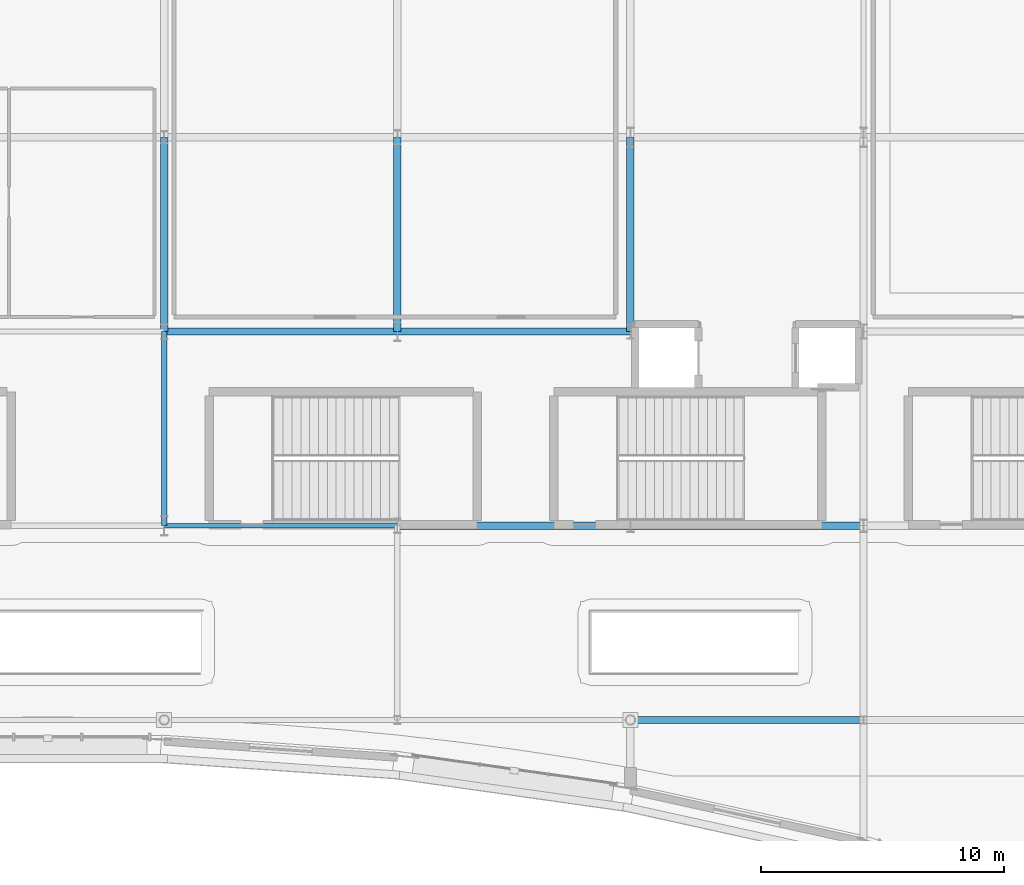
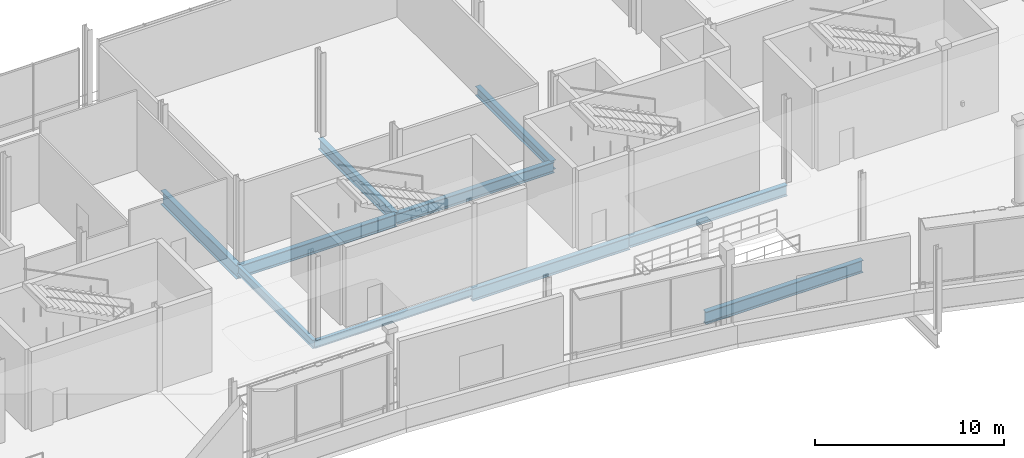
# One storey, part 38 of 129: 10 beams.
"""IFC4 building model written with IfcOpenShell, lengths in metres."""

from ifc_helpers import new_model, si_unit, direction, frame, origin, origin_2d, place, context, subcontext, project, spatial, i_section, extrude, material, material_profile, profile_set, type_object, element, save


model = new_model("IFC4")

# Units and contexts
model_context = context("Model", 3, precision=1e-05, world=origin(), true_north=direction((0.0, 1.0)))
body_context = subcontext(model_context, "Body", "Model", "MODEL_VIEW")
ifc_project = project(units=[si_unit("LENGTHUNIT", "METRE"), si_unit("AREAUNIT", "SQUARE_METRE"), si_unit("VOLUMEUNIT", "CUBIC_METRE"), si_unit("PLANEANGLEUNIT", "RADIAN"), si_unit("MASSUNIT", "GRAM", prefix="KILO")], contexts=[model_context])

# Site, building, storey
site_placement = place(None, origin())
site = spatial("IfcSite", under=ifc_project, at=site_placement, CompositionType="ELEMENT")
building_placement = place(site_placement, origin())
building = spatial("IfcBuilding", under=site, at=building_placement, Name="Danafjord Basin Convention Centre", CompositionType="ELEMENT")
storey_placement = place(building_placement, frame((0.0, 0.0, 6.0)))
storey = spatial("IfcBuildingStorey", under=building, at=storey_placement, Name="L01", CompositionType="ELEMENT", Elevation=6.0)

# Beams
ifc_material = material(Name="Steel S355", Category="steel")
ifc_material_profile_1 = material_profile(ifc_material, i_section(OverallWidth=0.300048828125, OverallDepth=0.60009765625, WebThickness=0.015380859375, FlangeThickness=0.030029296875, FilletRadius=0.027099609375, at=origin_2d()), Name="HEB 600")
ifc_profile_set_1 = profile_set([ifc_material_profile_1], Name="Steel S355")
beam_type_1 = type_object("IfcBeamType", Name="BEAM-BM-HEB600", PredefinedType="BEAM", material=ifc_profile_set_1)
beam_1_placement = place(storey_placement, frame((86.39990234375, 24.0, -0.530029296875), z_axis=(0.0, 1.0, 0.0), x_axis=(-1.0, 0.0, 0.0)))
element("IfcBeam", 1, at=beam_1_placement, inside=storey, type_object=beam_type_1, Name="L01 transverse girder BM-HEB600", PredefinedType="BEAM", context=body_context, shape_type="SweptSolid", body=[
    extrude(i_section(OverallWidth=0.300048828125, OverallDepth=0.60009765625, WebThickness=0.015380859375, FlangeThickness=0.030029296875, FilletRadius=0.027099609375, at=origin_2d()), origin(), (0.0, 0.0, 1.0), 8.0),
])
ifc_material_profile_2 = material_profile(ifc_material, i_section(OverallWidth=0.300048828125, OverallDepth=0.699951171875, WebThickness=0.01708984375, FlangeThickness=0.031982421875, FilletRadius=0.027099609375, at=origin_2d()), Name="HEB 700")
ifc_profile_set_2 = profile_set([ifc_material_profile_2], Name="Steel S355")
beam_type_2 = type_object("IfcBeamType", Name="BEAM-BM-HEB700", PredefinedType="BEAM", material=ifc_profile_set_2)
beam_2_placement = place(storey_placement, frame((76.800048828125, 24.0, -0.580078125), z_axis=(1.0, 0.0, 0.0), x_axis=(0.0, 1.0, 0.0)))
element("IfcBeam", 2, at=beam_2_placement, inside=storey, type_object=beam_type_2, Name="L01 girder BM-HEB700", PredefinedType="BEAM", context=body_context, shape_type="SweptSolid", body=[
    extrude(i_section(OverallWidth=0.300048828125, OverallDepth=0.699951171875, WebThickness=0.01708984375, FlangeThickness=0.031982421875, FilletRadius=0.027099609375, at=origin_2d()), origin(), (0.0, 0.0, 1.0), 9.599853515625),
])
beam_3_placement = place(storey_placement, frame((86.39990234375, 16.0, -0.580078125), z_axis=(1.0, 0.0, 0.0), x_axis=(0.0, 1.0, 0.0)))
element("IfcBeam", 3, at=beam_3_placement, inside=storey, type_object=beam_type_2, Name="L01 girder BM-HEB700", PredefinedType="BEAM", context=body_context, shape_type="SweptSolid", body=[
    extrude(i_section(OverallWidth=0.300048828125, OverallDepth=0.699951171875, WebThickness=0.01708984375, FlangeThickness=0.031982421875, FilletRadius=0.027099609375, at=origin_2d()), origin(), (0.0, 0.0, 1.0), 9.60009765625),
])
beam_4_placement = place(storey_placement, frame((76.800048828125, 24.0, -0.580078125), z_axis=(0.0, 1.0, 0.0), x_axis=(-1.0, 0.0, 0.0)))
element("IfcBeam", 4, at=beam_4_placement, inside=storey, type_object=beam_type_2, Name="L01 transverse girder BM-HEB700", PredefinedType="BEAM", context=body_context, shape_type="SweptSolid", body=[
    extrude(i_section(OverallWidth=0.300048828125, OverallDepth=0.699951171875, WebThickness=0.01708984375, FlangeThickness=0.031982421875, FilletRadius=0.027099609375, at=origin_2d()), origin(), (0.0, 0.0, 1.0), 8.0),
])
ifc_material_profile_3 = material_profile(ifc_material, i_section(OverallWidth=0.300048828125, OverallDepth=0.800048828125, WebThickness=0.017578125, FlangeThickness=0.032958984375, FilletRadius=0.030029296875, at=origin_2d()), Name="HEB 800")
ifc_profile_set_3 = profile_set([ifc_material_profile_3], Name="Steel S355")
beam_type_3 = type_object("IfcBeamType", Name="BEAM-BM-HEB800", PredefinedType="BEAM", material=ifc_profile_set_3)
beam_5_placement = place(storey_placement, frame((67.199951171875, 24.0, -0.6298828125), z_axis=(1.0, 0.0, 0.0), x_axis=(0.0, 1.0, 0.0)))
element("IfcBeam", 5, at=beam_5_placement, inside=storey, type_object=beam_type_3, Name="L01 girder BM-HEB800", PredefinedType="BEAM", context=body_context, shape_type="SweptSolid", body=[
    extrude(i_section(OverallWidth=0.300048828125, OverallDepth=0.800048828125, WebThickness=0.017578125, FlangeThickness=0.032958984375, FilletRadius=0.030029296875, at=origin_2d()), origin(), (0.0, 0.0, 1.0), 9.60009765625),
])
beam_6_placement = place(storey_placement, frame((76.800048828125, 16.0, -0.6298828125), z_axis=(1.0, 0.0, 0.0), x_axis=(0.0, 1.0, 0.0)))
element("IfcBeam", 6, at=beam_6_placement, inside=storey, type_object=beam_type_3, Name="L01 girder BM-HEB800", PredefinedType="BEAM", context=body_context, shape_type="SweptSolid", body=[
    extrude(i_section(OverallWidth=0.300048828125, OverallDepth=0.800048828125, WebThickness=0.017578125, FlangeThickness=0.032958984375, FilletRadius=0.030029296875, at=origin_2d()), origin(), (0.0, 0.0, 1.0), 9.599853515625),
])
beam_7_placement = place(storey_placement, frame((86.39990234375, 8.0, -0.6298828125), z_axis=(1.0, 0.0, 0.0), x_axis=(0.0, 1.0, 0.0)))
element("IfcBeam", 7, at=beam_7_placement, inside=storey, type_object=beam_type_3, Name="L01 girder BM-HEB800", PredefinedType="BEAM", context=body_context, shape_type="SweptSolid", body=[
    extrude(i_section(OverallWidth=0.300048828125, OverallDepth=0.800048828125, WebThickness=0.017578125, FlangeThickness=0.032958984375, FilletRadius=0.030029296875, at=origin_2d()), origin(), (0.0, 0.0, 1.0), 9.60009765625),
])
ifc_material_profile_4 = material_profile(ifc_material, i_section(OverallWidth=0.300048828125, OverallDepth=0.89990234375, WebThickness=0.0185546875, FlangeThickness=0.034912109375, FilletRadius=0.030029296875, at=origin_2d()), Name="HEB 900")
ifc_profile_set_4 = profile_set([ifc_material_profile_4], Name="Steel S355")
beam_type_4 = type_object("IfcBeamType", Name="BEAM-BM-HEB900", PredefinedType="BEAM", material=ifc_profile_set_4)
beam_8_placement = place(storey_placement, frame((67.199951171875, 24.0, -0.679931640625), z_axis=(0.0, 1.0, 0.0), x_axis=(-1.0, 0.0, 0.0)))
element("IfcBeam", 8, at=beam_8_placement, inside=storey, type_object=beam_type_4, Name="L01 transverse girder BM-HEB900", PredefinedType="BEAM", context=body_context, shape_type="SweptSolid", body=[
    extrude(i_section(OverallWidth=0.300048828125, OverallDepth=0.89990234375, WebThickness=0.0185546875, FlangeThickness=0.034912109375, FilletRadius=0.030029296875, at=origin_2d()), origin(), (0.0, 0.0, 1.0), 8.0),
])
ifc_material_profile_5 = material_profile(ifc_material, i_section(OverallWidth=0.199951171875, OverallDepth=0.5, WebThickness=0.01025390625, FlangeThickness=0.01611328125, FilletRadius=0.02099609375, at=origin_2d()), Name="IPE 500")
ifc_profile_set_5 = profile_set([ifc_material_profile_5], Name="Steel S355")
beam_type_5 = type_object("IfcBeamType", Name="BEAM-BM-IPE500", PredefinedType="BEAM", material=ifc_profile_set_5)
beam_9_placement = place(storey_placement, frame((67.199951171875, 16.0, -0.47998046875), z_axis=(1.0, 0.0, 0.0), x_axis=(0.0, 1.0, 0.0)))
element("IfcBeam", 9, at=beam_9_placement, inside=storey, type_object=beam_type_5, Name="L01 girder BM-IPE500", PredefinedType="BEAM", context=body_context, shape_type="SweptSolid", body=[
    extrude(i_section(OverallWidth=0.199951171875, OverallDepth=0.5, WebThickness=0.01025390625, FlangeThickness=0.01611328125, FilletRadius=0.02099609375, at=origin_2d()), origin(), (0.0, 0.0, 1.0), 9.60009765625),
])
ifc_material_profile_6 = material_profile(ifc_material, i_section(OverallWidth=0.2099609375, OverallDepth=0.550048828125, WebThickness=0.010986328125, FlangeThickness=0.01708984375, FilletRadius=0.02392578125, at=origin_2d()), Name="IPE 550")
ifc_profile_set_6 = profile_set([ifc_material_profile_6], Name="Steel S355")
beam_type_6 = type_object("IfcBeamType", Name="BEAM-BM-IPE550", PredefinedType="BEAM", material=ifc_profile_set_6)
beam_10_placement = place(storey_placement, frame((67.199951171875, 16.0, -0.5048828125), z_axis=(0.0, 1.0, 0.0), x_axis=(-1.0, 0.0, 0.0)))
element("IfcBeam", 10, at=beam_10_placement, inside=storey, type_object=beam_type_6, Name="L01 transverse girder BM-IPE550", PredefinedType="BEAM", context=body_context, shape_type="SweptSolid", body=[
    extrude(i_section(OverallWidth=0.2099609375, OverallDepth=0.550048828125, WebThickness=0.010986328125, FlangeThickness=0.01708984375, FilletRadius=0.02392578125, at=origin_2d()), origin(), (0.0, 0.0, 1.0), 8.0),
])

save(model, "model.ifc")
